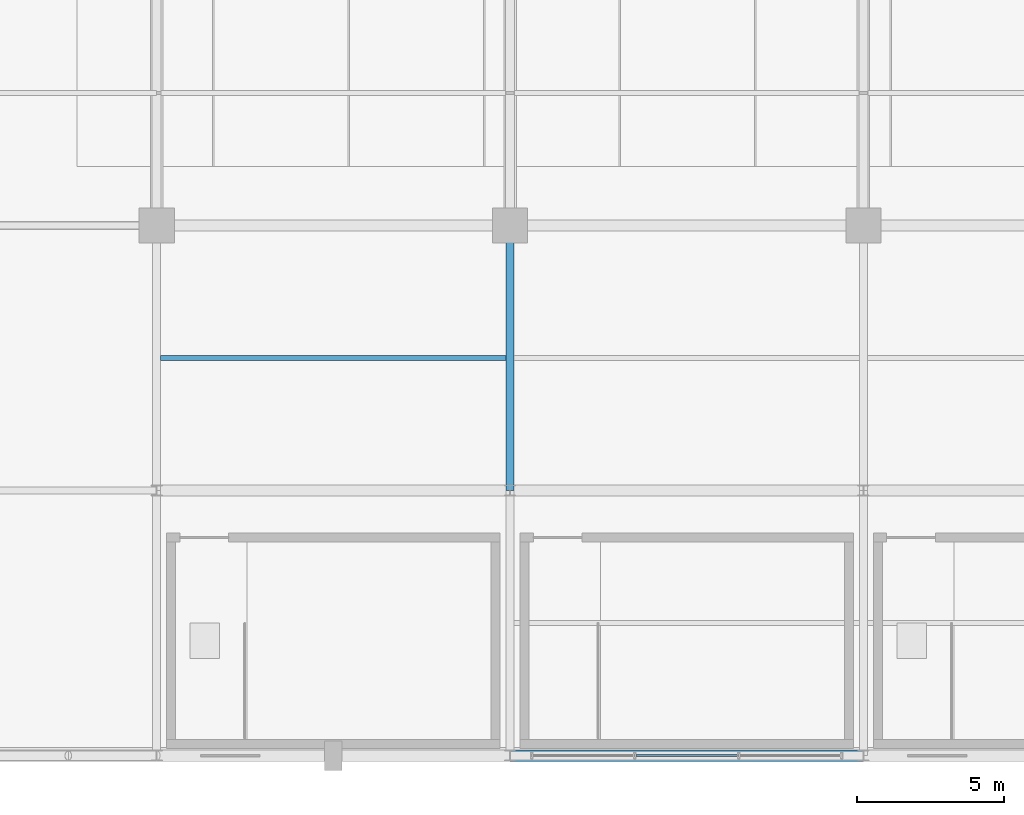
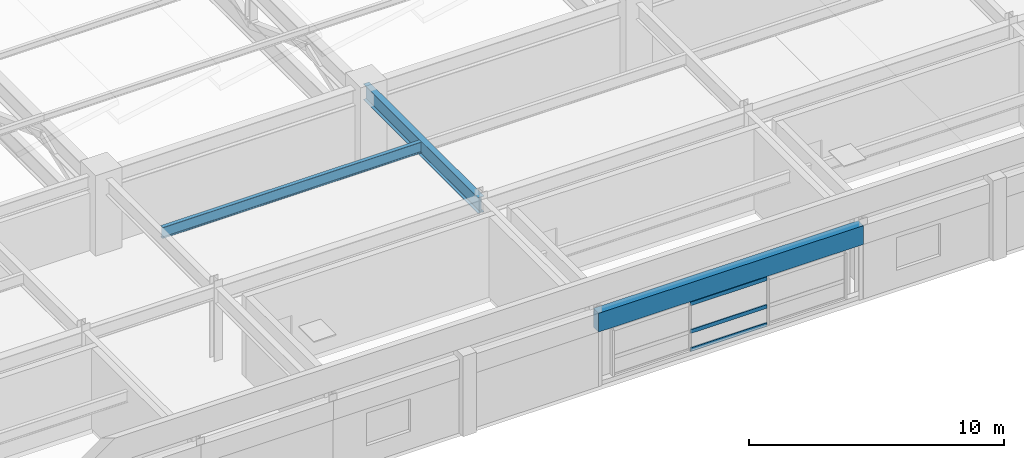
# One storey, part 24 of 108: 3 beams, 3 members, 1 element without a shape of its own.
"""IFC4 building model written with IfcOpenShell, lengths in metres."""

from ifc_helpers import new_model, si_unit, direction, frame, origin, origin_2d, place, context, subcontext, project, spatial, rectangle, hollow_rectangle, i_section, extrude, material, material_profile, profile_set, type_object, element, aggregate, save


model = new_model("IFC4")

# Units and contexts
model_context = context("Model", 3, precision=1e-05, world=origin(), true_north=direction((0.0, 1.0)))
body_context = subcontext(model_context, "Body", "Model", "MODEL_VIEW")
ifc_project = project(units=[si_unit("LENGTHUNIT", "METRE"), si_unit("AREAUNIT", "SQUARE_METRE"), si_unit("VOLUMEUNIT", "CUBIC_METRE"), si_unit("PLANEANGLEUNIT", "RADIAN"), si_unit("MASSUNIT", "GRAM", prefix="KILO")], contexts=[model_context])

# Site, building, storey
site_placement = place(None, origin())
site = spatial("IfcSite", under=ifc_project, at=site_placement, CompositionType="ELEMENT")
building_placement = place(site_placement, origin())
building = spatial("IfcBuilding", under=site, at=building_placement, Name="Kaldorvane Square Convention Centre", CompositionType="ELEMENT")
storey_placement = place(building_placement, frame((0.0, 0.0, 23.399993896484375)))
storey = spatial("IfcBuildingStorey", under=building, at=storey_placement, Name="L04", CompositionType="ELEMENT", Elevation=23.399993896484375)

# Beams
ifc_material_1 = material(Name="Steel ASTM A992 Gr. 50", Category="steel")
ifc_material_profile_1 = material_profile(ifc_material_1, i_section(OverallWidth=0.2666015625, OverallDepth=0.762298583984375, WebThickness=0.014404296875, FlangeThickness=0.0216064453125, FilletRadius=0.0164947509765625, at=origin_2d()), Name="W30X116")
ifc_profile_set_1 = profile_set([ifc_material_profile_1], Name="Steel ASTM A992 Gr. 50")
beam_type_1 = type_object("IfcBeamType", Name="BM-GR-W30X116", PredefinedType="BEAM", material=ifc_profile_set_1)
beam_1_placement = place(storey_placement, frame((42.0, 9.0, 3.144805908203125), z_axis=(0.0, 1.0, 0.0), x_axis=(-1.0, 0.0, 0.0)))
element("IfcBeam", 1, at=beam_1_placement, inside=storey, type_object=beam_type_1, Name="Transverse Girder (L04)", PredefinedType="BEAM", context=body_context, shape_type="SweptSolid", body=[
    extrude(i_section(OverallWidth=0.2666015625, OverallDepth=0.762298583984375, WebThickness=0.014404296875, FlangeThickness=0.0216064453125, FilletRadius=0.0164947509765625, at=origin_2d()), origin(), (0.0, 0.0, 1.0), 9.0),
])
ifc_material_profile_2 = material_profile(ifc_material_1, i_section(OverallWidth=0.1658935546875, OverallDepth=0.5290985107421875, WebThickness=0.00970458984375, FlangeThickness=0.0135955810546875, FilletRadius=0.0126953125, at=origin_2d()), Name="W21X50")
ifc_profile_set_2 = profile_set([ifc_material_profile_2], Name="Steel ASTM A992 Gr. 50")
beam_type_2 = type_object("IfcBeamType", Name="BM-JS-W21X50", PredefinedType="JOIST", material=ifc_profile_set_2)
beam_2_placement = place(storey_placement, frame((30.13330078125, 13.5, 3.26141357421875), z_axis=(1.0, 0.0, 0.0), x_axis=(0.0, 1.0, 0.0)))
element("IfcBeam", 2, at=beam_2_placement, inside=storey, type_object=beam_type_2, Name="Secondary Floor Joist (L04)", PredefinedType="JOIST", context=body_context, shape_type="SweptSolid", body=[
    extrude(i_section(OverallWidth=0.1658935546875, OverallDepth=0.5290985107421875, WebThickness=0.00970458984375, FlangeThickness=0.0135955810546875, FilletRadius=0.0126953125, at=origin_2d()), origin(), (0.0, 0.0, 1.0), 11.7333984375),
])
ifc_material_2 = material(Name="Concrete f'c = 42 MPa (Normalweight)", Category="concrete")
ifc_material_profile_3 = material_profile(ifc_material_2, rectangle(XDim=0.399993896484375, YDim=0.899993896484375, at=origin_2d()), Name="RCSP900X400")
ifc_profile_set_3 = profile_set([ifc_material_profile_3], Name="Concrete f'c = 42 MPa (Normalweight)")
beam_type_3 = type_object("IfcBeamType", Name="BM-SP-RC900", PredefinedType="SPANDREL", material=ifc_profile_set_3)
beam_3_placement = place(storey_placement, frame((42.0, 0.0, 3.0760040283203125), z_axis=(1.0, 0.0, 0.0), x_axis=(0.0, 1.0, 0.0)))
element("IfcBeam", 3, at=beam_3_placement, inside=storey, type_object=beam_type_3, Name="Perimeter Spandrel (L04)", PredefinedType="SPANDREL", context=body_context, shape_type="SweptSolid", body=[
    extrude(rectangle(XDim=0.399993896484375, YDim=0.899993896484375, at=origin_2d()), origin(), (0.0, 0.0, 1.0), 12.0),
])

# Curtain wall, members
ifc_material_3 = material(Name="Anodized Aluminum and Low-E Insulated Glazing", Category="aluminium")
curtain_wall_type = type_object("IfcCurtainWallType", Name="CW-UNI-P42-12", PredefinedType="USERDEFINED", material=ifc_material_3)
curtain_wall_placement = place(storey_placement, origin())
curtain_wall = element("IfcCurtainWall", 4, at=curtain_wall_placement, inside=storey, type_object=curtain_wall_type, Name="Curtain Wall CW-05 (L04)", ObjectType="UNITISED GLAZING", PredefinedType="USERDEFINED")
ifc_material_profile_4 = material_profile(ifc_material_3, hollow_rectangle(XDim=0.06500244140625, YDim=0.17999267578125, WallThickness=0.0034942626953125, at=origin_2d()), Name="CWT-180X65")
ifc_profile_set_4 = profile_set([ifc_material_profile_4], Name="Anodized Aluminum and Low-E Insulated Glazing")
member_type = type_object("IfcMemberType", Name="CW-TRN-180", PredefinedType="USERDEFINED", material=ifc_profile_set_4)
member_1_placement = place(storey_placement, frame((46.27082824707031, 0.0, 0.1825103759765625), z_axis=(1.0, 0.0, 0.0), x_axis=(0.0, 1.0, 0.0)))
member_1 = element("IfcMember", 5, at=member_1_placement, type_object=member_type, Name="CW-05 transom 2.1", ObjectType="TRANSOM", PredefinedType="USERDEFINED", context=body_context, shape_type="SweptSolid", body=[
    extrude(hollow_rectangle(XDim=0.06500244140625, YDim=0.17999267578125, WallThickness=0.0034942626953125, at=origin_2d()), origin(), (0.0, 0.0, 1.0), 3.458343505859375),
])
member_2_placement = place(storey_placement, frame((46.27082824707031, 0.0, 1.0500030517578125), z_axis=(1.0, 0.0, 0.0), x_axis=(0.0, 1.0, 0.0)))
member_2 = element("IfcMember", 6, at=member_2_placement, type_object=member_type, Name="CW-05 transom 2.2", ObjectType="TRANSOM", PredefinedType="USERDEFINED", context=body_context, shape_type="SweptSolid", body=[
    extrude(hollow_rectangle(XDim=0.06500244140625, YDim=0.17999267578125, WallThickness=0.0034942626953125, at=origin_2d()), origin(), (0.0, 0.0, 1.0), 3.458343505859375),
])
member_3_placement = place(storey_placement, frame((46.27082824707031, 0.0, 2.37750244140625), z_axis=(1.0, 0.0, 0.0), x_axis=(0.0, 1.0, 0.0)))
member_3 = element("IfcMember", 7, at=member_3_placement, type_object=member_type, Name="CW-05 transom 2.3", ObjectType="TRANSOM", PredefinedType="USERDEFINED", context=body_context, shape_type="SweptSolid", body=[
    extrude(hollow_rectangle(XDim=0.06500244140625, YDim=0.17999267578125, WallThickness=0.0034942626953125, at=origin_2d()), origin(), (0.0, 0.0, 1.0), 3.458343505859375),
])
aggregate(curtain_wall, [member_1, member_2, member_3])

save(model, "model.ifc")
